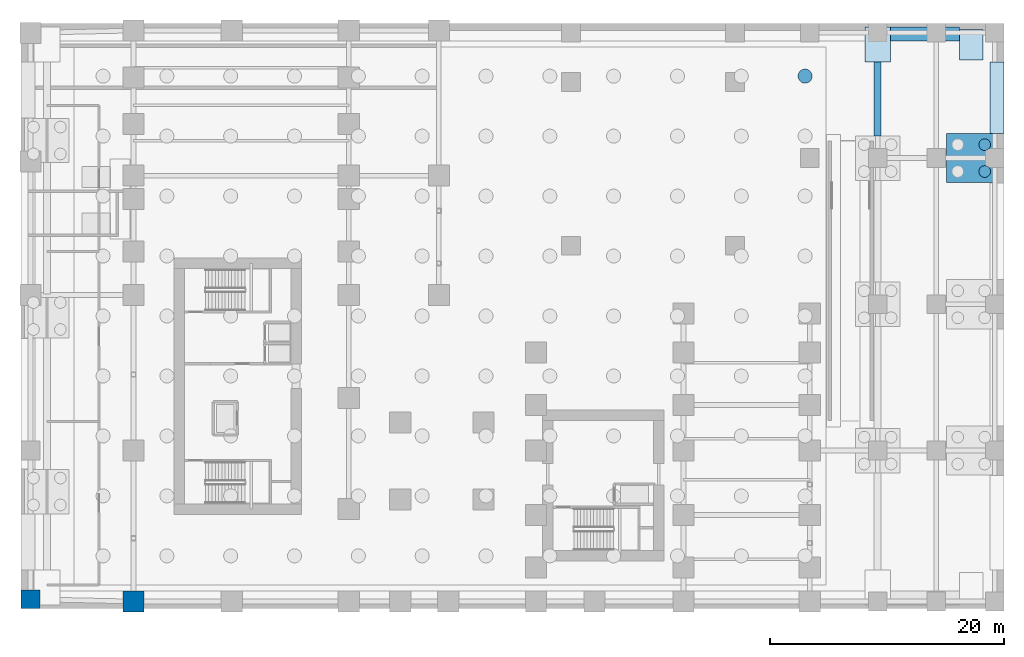
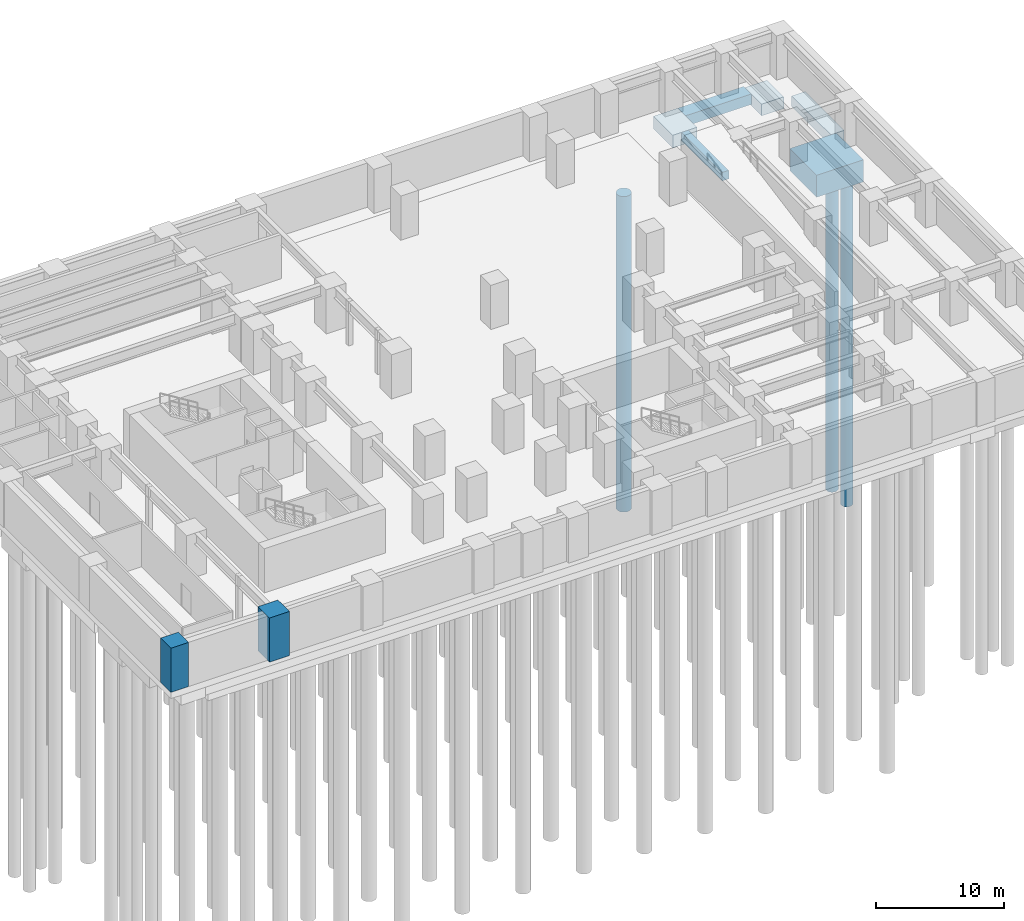
# One storey, part 2 of 15: 6 footings, 3 piles, 2 columns.
"""IFC4 building model written with IfcOpenShell, lengths in metres."""

from ifc_helpers import new_model, si_unit, direction, frame, origin, origin_2d, place, context, subcontext, project, spatial, rectangle, circle, extrude, source, transform, mapped, material, layer, layer_set, material_profile, profile_set, type_object, element, save


model = new_model("IFC4")

# Units and contexts
model_context = context("Model", 3, precision=1e-05, world=origin(), true_north=direction((0.0, 1.0)))
body_context = subcontext(model_context, "Body", "Model", "MODEL_VIEW")
ifc_project = project(units=[si_unit("LENGTHUNIT", "METRE"), si_unit("AREAUNIT", "SQUARE_METRE"), si_unit("VOLUMEUNIT", "CUBIC_METRE"), si_unit("PLANEANGLEUNIT", "RADIAN"), si_unit("MASSUNIT", "GRAM", prefix="KILO")], contexts=[model_context])

# Site, building, storey
site_placement = place(None, origin())
site = spatial("IfcSite", under=ifc_project, at=site_placement, CompositionType="ELEMENT")
building_placement = place(site_placement, origin())
building = spatial("IfcBuilding", under=site, at=building_placement, Name="Kharzan Plaza Tower", CompositionType="ELEMENT")
storey_placement = place(building_placement, frame((0.0, 0.0, -9.0)))
storey = spatial("IfcBuildingStorey", under=building, at=storey_placement, Name="B02", CompositionType="ELEMENT", Elevation=-9.0)

# Footings
ifc_material_1 = material(Name="Concrete C50/60", Category="concrete")
ifc_material_profile_1 = material_profile(ifc_material_1, rectangle(XDim=0.60009765625, YDim=0.800048828125, at=origin_2d()), Name="GB-600x800")
ifc_profile_set_1 = profile_set([ifc_material_profile_1], Name="Concrete C50/60")
footing_type_1 = type_object("IfcFootingType", Name="FTG-GB1-600x800", PredefinedType="FOOTING_BEAM", material=ifc_profile_set_1)
shared_shape_1 = source(origin(), body_context, "Body", "SweptSolid", [
    extrude(rectangle(XDim=0.60009765625, YDim=0.800048828125, at=origin_2d()), origin(), (0.0, 0.0, 1.0), 6.300048828125),
])
footing_1_placement = place(storey_placement, frame((64.199951171875, 40.39990234375, -1.0), z_axis=(0.0, 1.0, 0.0), x_axis=(-1.0, 0.0, 0.0)))
element("IfcFooting", 1, at=footing_1_placement, inside=storey, type_object=footing_type_1, Name="B02 Ground Tie Beam GB1-08", PredefinedType="FOOTING_BEAM", context=body_context, shape_type="MappedRepresentation", body=[
    mapped(shared_shape_1, transform((0.0, 0.0, 0.0), x_axis=(1.0, 0.0, 0.0), y_axis=(0.0, 1.0, 0.0), z_axis=(0.0, 0.0, 1.0))),
])
ifc_layer_1 = layer(ifc_material_1, 2.10009765625)
ifc_layer_set_1 = layer_set([ifc_layer_1], Name="Concrete C50/60")
footing_type_2 = type_object("IfcFootingType", Name="FTG-PC2-4200", PredefinedType="PILE_CAP", material=ifc_layer_set_1)
shared_shape_2 = source(origin(), body_context, "Body", "SweptSolid", [
    extrude(rectangle(XDim=4.199951171875, YDim=4.199951171875, at=origin_2d()), origin(), (0.0, 0.0, 1.0), 2.10009765625),
])
footing_2_placement = place(storey_placement, frame((72.199951171875, 38.5, -2.699951171875), z_axis=(0.0, 0.0, 1.0), x_axis=(1.0, 0.0, 0.0)))
element("IfcFooting", 2, at=footing_2_placement, inside=storey, type_object=footing_type_2, Name="B02 Four-Pile Cap 09", PredefinedType="PILE_CAP", context=body_context, shape_type="MappedRepresentation", body=[
    mapped(shared_shape_2, transform((0.0, 0.0, 0.0), x_axis=(1.0, 0.0, 0.0), y_axis=(0.0, 1.0, 0.0), z_axis=(0.0, 0.0, 1.0))),
])
ifc_layer_2 = layer(ifc_material_1, 1.199951171875)
ifc_layer_set_2 = layer_set([ifc_layer_2], Name="Concrete C50/60")
footing_type_3 = type_object("IfcFootingType", Name="FTG-PF1-3000x2200", PredefinedType="PAD_FOOTING", material=ifc_layer_set_2)
shared_shape_3 = source(origin(), body_context, "Body", "SweptSolid", [
    extrude(rectangle(XDim=3.0, YDim=2.199951171875, at=origin_2d()), origin(), (0.0, 0.0, 1.0), 1.199951171875),
])
footing_3_placement = place(storey_placement, frame((64.199951171875, 48.199951171875, -1.7998046875), z_axis=(0.0, 0.0, 1.0), x_axis=(0.0, 1.0, 0.0)))
element("IfcFooting", 3, at=footing_3_placement, inside=storey, type_object=footing_type_3, Name="B02 Pad Footing 04", PredefinedType="PAD_FOOTING", context=body_context, shape_type="MappedRepresentation", body=[
    mapped(shared_shape_3, transform((0.0, 0.0, 0.0), x_axis=(1.0, 0.0, 0.0), y_axis=(0.0, 1.0, 0.0), z_axis=(0.0, 0.0, 1.0))),
])
ifc_layer_3 = layer(ifc_material_1, 1.10009765625)
ifc_layer_set_3 = layer_set([ifc_layer_3], Name="Concrete C50/60")
footing_type_4 = type_object("IfcFootingType", Name="FTG-PF2-2600x2000", PredefinedType="PAD_FOOTING", material=ifc_layer_set_3)
shared_shape_4 = source(origin(), body_context, "Body", "SweptSolid", [
    extrude(rectangle(XDim=2.60009765625, YDim=2.0, at=origin_2d()), origin(), (0.0, 0.0, 1.0), 1.10009765625),
])
footing_4_placement = place(storey_placement, frame((72.199951171875, 48.199951171875, -1.699951171875), z_axis=(0.0, 0.0, 1.0), x_axis=(0.0, 1.0, 0.0)))
element("IfcFooting", 4, at=footing_4_placement, inside=storey, type_object=footing_type_4, Name="B02 Pad Footing 06", PredefinedType="PAD_FOOTING", context=body_context, shape_type="MappedRepresentation", body=[
    mapped(shared_shape_4, transform((0.0, 0.0, 0.0), x_axis=(1.0, 0.0, 0.0), y_axis=(0.0, 1.0, 0.0), z_axis=(0.0, 0.0, 1.0))),
])
ifc_material_profile_2 = material_profile(ifc_material_1, rectangle(XDim=1.199951171875, YDim=1.0, at=origin_2d()), Name="SF-1200x1000")
ifc_profile_set_2 = profile_set([ifc_material_profile_2], Name="Concrete C50/60")
footing_type_5 = type_object("IfcFootingType", Name="FTG-SF1-1200x1000", PredefinedType="STRIP_FOOTING", material=ifc_profile_set_2)
shared_shape_5 = source(origin(), body_context, "Body", "SweptSolid", [
    extrude(rectangle(XDim=1.199951171875, YDim=1.0, at=origin_2d()), origin(), (0.0, 0.0, 1.0), 5.89990234375),
])
footing_5_placement = place(storey_placement, frame((65.300048828125, 49.10009765625, -1.10009765625), z_axis=(1.0, 0.0, 0.0), x_axis=(0.0, 1.0, 0.0)))
element("IfcFooting", 5, at=footing_5_placement, inside=storey, type_object=footing_type_5, Name="B02 Perimeter Strip Footing SF1-04", PredefinedType="STRIP_FOOTING", context=body_context, shape_type="MappedRepresentation", body=[
    mapped(shared_shape_5, transform((0.0, 0.0, 0.0), x_axis=(1.0, 0.0, 0.0), y_axis=(0.0, 1.0, 0.0), z_axis=(0.0, 0.0, 1.0))),
])
shared_shape_6 = source(origin(), body_context, "Body", "SweptSolid", [
    extrude(rectangle(XDim=1.199951171875, YDim=1.0, at=origin_2d()), origin(), (0.0, 0.0, 1.0), 6.08984375),
])
footing_6_placement = place(storey_placement, frame((74.39990234375, 40.610107421875, -1.10009765625), z_axis=(0.0, 1.0, 0.0), x_axis=(-1.0, 0.0, 0.0)))
element("IfcFooting", 6, at=footing_6_placement, inside=storey, type_object=footing_type_5, Name="B02 Perimeter Strip Footing SF1-12", PredefinedType="STRIP_FOOTING", context=body_context, shape_type="MappedRepresentation", body=[
    mapped(shared_shape_6, transform((0.0, 0.0, 0.0), x_axis=(1.0, 0.0, 0.0), y_axis=(0.0, 1.0, 0.0), z_axis=(0.0, 0.0, 1.0))),
])

# Piles
ifc_material_profile_3 = material_profile(ifc_material_1, circle(Radius=0.60009765625, at=origin_2d()), Name="PILE-D1200")
ifc_profile_set_3 = profile_set([ifc_material_profile_3], Name="Concrete C50/60")
pile_type_1 = type_object("IfcPileType", Name="PILE-BORED-1200", PredefinedType="BORED", material=ifc_profile_set_3)
shared_shape_7 = source(origin(), body_context, "Body", "SweptSolid", [
    extrude(circle(Radius=0.60009765625, at=origin_2d()), origin(), (0.0, 0.0, 1.0), 30.0),
])
pile_placement = place(storey_placement, frame((58.0, 45.5, -3.5), z_axis=(0.0, 0.0, -1.0), x_axis=(1.0, 0.0, 0.0)))
element("IfcPile", 7, at=pile_placement, inside=storey, type_object=pile_type_1, Name="Bored Pile P1-108", PredefinedType="BORED", context=body_context, shape_type="MappedRepresentation", body=[
    mapped(shared_shape_7, transform((0.0, 0.0, 0.0), x_axis=(1.0, 0.0, 0.0), y_axis=(0.0, 1.0, 0.0), z_axis=(0.0, 0.0, 1.0))),
])
ifc_material_profile_4 = material_profile(ifc_material_1, circle(Radius=0.5, at=origin_2d()), Name="PILE-D1000")
ifc_profile_set_4 = profile_set([ifc_material_profile_4], Name="Concrete C50/60")
pile_type_2 = type_object("IfcPileType", Name="PILE-BORED-1000", PredefinedType="BORED", material=ifc_profile_set_4)
shared_shape_8 = source(origin(), body_context, "Body", "SweptSolid", [
    extrude(circle(Radius=0.5, at=origin_2d()), origin(), (0.0, 0.0, 1.0), 30.89990234375),
])
for number, where, z_axis, x_axis, name in (
    (8, (73.35009765625, 37.35009765625, -2.60009765625), (0.0, 0.0, -1.0), (1.0, 0.0, 0.0), "Bored Pile P2-035"),
    (9, (73.35009765625, 39.64990234375, -2.60009765625), (0.0, 0.0, -1.0), (1.0, 0.0, 0.0), "Bored Pile P2-036"),
):
    element("IfcPile", number, at=place(storey_placement, frame(where, z_axis=z_axis, x_axis=x_axis)), inside=storey, type_object=pile_type_2, Name=name, PredefinedType="BORED", context=body_context, shape_type="MappedRepresentation", body=[
        mapped(shared_shape_8, transform((0.0, 0.0, 0.0), x_axis=(1.0, 0.0, 0.0), y_axis=(0.0, 1.0, 0.0), z_axis=(0.0, 0.0, 1.0))),
    ])

# Columns
ifc_material_2 = material(Name="Concrete C60/75", Category="concrete")
ifc_material_profile_5 = material_profile(ifc_material_2, rectangle(XDim=1.60009765625, YDim=1.60009765625, at=origin_2d()), Name="RC-MC1600x1600")
ifc_profile_set_5 = profile_set([ifc_material_profile_5], Name="Concrete C60/75")
column_type_1 = type_object("IfcColumnType", Name="COL-BC1600", PredefinedType="COLUMN", material=ifc_profile_set_5)
shared_shape_9 = source(origin(), body_context, "Body", "SweptSolid", [
    extrude(rectangle(XDim=1.60009765625, YDim=1.60009765625, at=origin_2d()), origin(), (0.0, 0.0, 1.0), 4.199951171875),
])
column_1_placement = place(storey_placement, frame((-8.199951171875, 0.800048828125, 0.0), z_axis=(0.0, 0.0, 1.0), x_axis=(1.0, 0.0, 0.0)))
element("IfcColumn", 10, at=column_1_placement, inside=storey, type_object=column_type_1, Name="B02 Structural Column BC01", PredefinedType="COLUMN", context=body_context, shape_type="MappedRepresentation", body=[
    mapped(shared_shape_9, transform((0.0, 0.0, 0.0), x_axis=(1.0, 0.0, 0.0), y_axis=(0.0, 1.0, 0.0), z_axis=(0.0, 0.0, 1.0))),
])
ifc_material_profile_6 = material_profile(ifc_material_2, rectangle(XDim=1.800048828125, YDim=1.800048828125, at=origin_2d()), Name="RC-MC1800x1800")
ifc_profile_set_6 = profile_set([ifc_material_profile_6], Name="Concrete C60/75")
column_type_2 = type_object("IfcColumnType", Name="COL-MC1800", PredefinedType="COLUMN", material=ifc_profile_set_6)
shared_shape_10 = source(origin(), body_context, "Body", "SweptSolid", [
    extrude(rectangle(XDim=1.800048828125, YDim=1.800048828125, at=origin_2d()), origin(), (0.0, 0.0, 1.0), 4.199951171875),
])
column_2_placement = place(storey_placement, frame((0.60009765625, 0.60009765625, 0.0), z_axis=(0.0, 0.0, 1.0), x_axis=(1.0, 0.0, 0.0)))
element("IfcColumn", 11, at=column_2_placement, inside=storey, type_object=column_type_2, Name="B02 Podium Mega-Column MC04", PredefinedType="COLUMN", context=body_context, shape_type="MappedRepresentation", body=[
    mapped(shared_shape_10, transform((0.0, 0.0, 0.0), x_axis=(1.0, 0.0, 0.0), y_axis=(0.0, 1.0, 0.0), z_axis=(0.0, 0.0, 1.0))),
])

save(model, "model.ifc")
